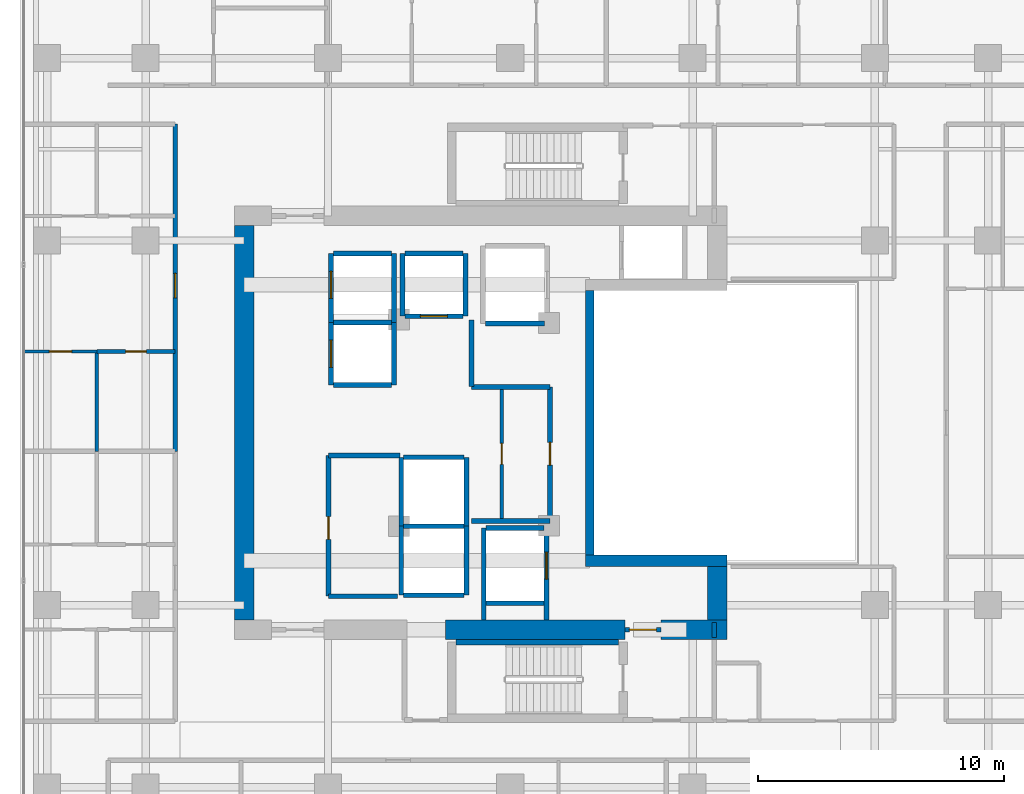
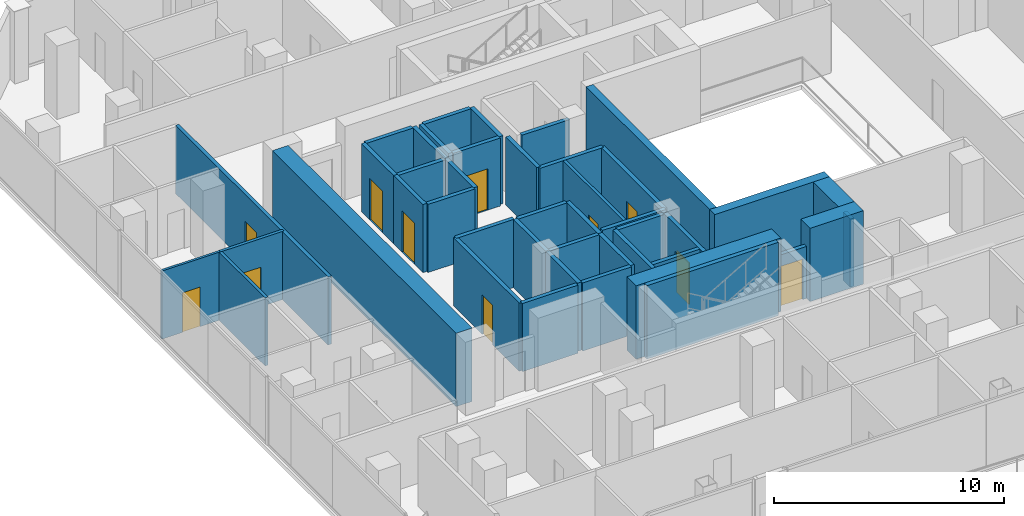
# One storey, part 21 of 27: 44 walls, 11 doors, 11 openings.
"""IFC4 building model written with IfcOpenShell, lengths in metres."""

import ifcopenshell
import ifcopenshell.guid

model = None  # the IFC model being written
_history = None  # IfcOwnerHistory: only IFC2X3 demands one
_inside = {}  # id of a spatial element -> (the spatial element, [elements in it])
_under = {}  # id of a project, library or spatial element -> (it, [spatial elements below it])
_declared = {}  # id of a project -> (the project, [libraries it declares])
_typed = {}  # id of a type object -> (the type object, [elements of that type])
_made_of = {}  # id of a material, layer set ... -> (it, [elements and type objects made of it])


def new_model(schema):
    """Start an empty IFC model of exactly this schema.

    Asked for "IFC4X3", IfcOpenShell would pick the latest addendum, in which some entities
    have other attributes; the version numbers below select the first issue.
    IFC2X3 requires an IfcOwnerHistory on every rooted entity: one is made here for all.
    """
    global model, _history
    if schema == "IFC4X3":
        model = ifcopenshell.file(schema_version=(4, 3, 0, 0))
    else:
        model = ifcopenshell.file(schema=schema)
    _inside.clear()
    _under.clear()
    _declared.clear()
    _typed.clear()
    _made_of.clear()
    _history = None
    if model.schema == "IFC2X3":
        org = make("IfcOrganization", Name="unknown")
        user = make(
            "IfcPersonAndOrganization",
            ThePerson=make("IfcPerson", FamilyName="unknown"),
            TheOrganization=org,
        )
        app = make(
            "IfcApplication",
            ApplicationDeveloper=org,
            Version="unknown",
            ApplicationFullName="unknown",
            ApplicationIdentifier="unknown",
        )
        _history = make(
            "IfcOwnerHistory",
            OwningUser=user,
            OwningApplication=app,
            ChangeAction="ADDED",
            CreationDate=0,
        )
    return model


def make(cls, **values):
    """One entity of the class cls with the attributes given. An attribute that is None is left unset."""
    return model.create_entity(
        cls, **{name: value for name, value in values.items() if value is not None}
    )


def rooted(cls, **values):
    """An entity with a GlobalId (a new one), such as an element, a storey or a relation."""
    return make(cls, GlobalId=ifcopenshell.guid.new(), OwnerHistory=_history, **values)


def si_unit(unit_type, name, prefix=None):
    """IfcSIUnit, for example si_unit("LENGTHUNIT", "METRE", prefix="MILLI")."""
    return make("IfcSIUnit", UnitType=unit_type, Prefix=prefix, Name=name)


def assignment(units):
    """IfcUnitAssignment: the units of a project."""
    return None if units is None else make("IfcUnitAssignment", Units=units)


def point(xyz):
    """IfcCartesianPoint."""
    return None if xyz is None else make("IfcCartesianPoint", Coordinates=xyz)


def direction(xyz):
    """IfcDirection."""
    return None if xyz is None else make("IfcDirection", DirectionRatios=xyz)


def frame(location, z_axis=None, x_axis=None):
    """IfcAxis2Placement3D, a coordinate frame: its origin and axes. An axis left out is left unset."""
    return make(
        "IfcAxis2Placement3D",
        Location=point(location),
        Axis=direction(z_axis),
        RefDirection=direction(x_axis),
    )


def frame_2d(location, x_axis=None):
    """IfcAxis2Placement2D, a coordinate frame in the plane: its origin and x axis."""
    return make(
        "IfcAxis2Placement2D", Location=point(location), RefDirection=direction(x_axis)
    )


def origin():
    """The frame at (0, 0, 0) with its axes left unset."""
    return frame((0.0, 0.0, 0.0))


def place(relative_to, where):
    """IfcLocalPlacement: puts the frame where relative to a parent placement (None: the world)."""
    return make(
        "IfcLocalPlacement", PlacementRelTo=relative_to, RelativePlacement=where
    )


def context(
    kind, dimensions, precision=None, world=None, true_north=None, identifier=None
):
    """IfcGeometricRepresentationContext, for example the 3D "Model" context."""
    return make(
        "IfcGeometricRepresentationContext",
        ContextIdentifier=identifier,
        ContextType=kind,
        CoordinateSpaceDimension=dimensions,
        Precision=precision,
        WorldCoordinateSystem=world,
        TrueNorth=true_north,
    )


def subcontext(parent, identifier, kind, view, scale=None):
    """IfcGeometricRepresentationSubContext, for example "Body" below "Model"."""
    return make(
        "IfcGeometricRepresentationSubContext",
        ContextIdentifier=identifier,
        ContextType=kind,
        ParentContext=parent,
        TargetScale=scale,
        TargetView=view,
    )


def project(units=None, contexts=None):
    """IfcProject with its units and contexts."""
    return rooted(
        "IfcProject",
        Name="project",
        RepresentationContexts=contexts,
        UnitsInContext=assignment(units),
    )


def spatial(cls, under=None, at=None, **own):
    """A site, building, storey or space (cls), placed at a placement, below another one or the project."""
    s = rooted(cls, ObjectPlacement=at, **own)
    if under is not None:
        _under.setdefault(under.id(), (under, []))[1].append(s)
    return s


def profile(cls, at=None, kind="AREA", **sizes):
    """A parametric profile (cls). Its sizes go by their IFC names, for example OverallWidth=200.0."""
    return make(cls, ProfileType=kind, Position=at, **sizes)


def rectangle(**sizes):
    """IfcRectangleProfileDef."""
    return profile("IfcRectangleProfileDef", **sizes)


def extrude(swept, where, along, depth):
    """IfcExtrudedAreaSolid: the profile swept, set in the frame where, extruded along a direction by depth."""
    return make(
        "IfcExtrudedAreaSolid",
        SweptArea=swept,
        Position=where,
        ExtrudedDirection=direction(along),
        Depth=depth,
    )


def shape(context_of_items, identifier, shape_type, items):
    """IfcShapeRepresentation: the items that make up one representation, for example the "Body"."""
    return make(
        "IfcShapeRepresentation",
        ContextOfItems=context_of_items,
        RepresentationIdentifier=identifier,
        RepresentationType=shape_type,
        Items=items,
    )


def material(Name=None, Category=None):
    """IfcMaterial."""
    return make("IfcMaterial", Name=Name, Category=Category)


def layer(
    of_material, thickness, ventilated=None, Name=None, Category=None, Priority=None
):
    """IfcMaterialLayer: one layer of a wall or slab, of a material (None: an air gap)."""
    return make(
        "IfcMaterialLayer",
        Material=of_material,
        LayerThickness=thickness,
        IsVentilated=ventilated,
        Name=Name,
        Category=Category,
        Priority=Priority,
    )


def layer_set(layers, Name=None):
    """IfcMaterialLayerSet."""
    return make("IfcMaterialLayerSet", MaterialLayers=layers, LayerSetName=Name)


def made_of(thing, what):
    """Note that an element or type object is made of a material, layer set ...; save() writes the relation."""
    if what is not None:
        _made_of.setdefault(what.id(), (what, []))[1].append(thing)
    return thing


def type_object(cls, material=None, **own):
    """A type object (cls), such as IfcWallType, which elements share."""
    return made_of(rooted(cls, **own), material)


def element(
    cls,
    number,
    at=None,
    inside=None,
    cuts=None,
    type_object=None,
    material=None,
    context=None,
    identifier="Body",
    shape_type=None,
    held_by="IfcProductDefinitionShape",
    body=None,
    shapes=None,
    **own,
):
    """One element of the class cls, such as IfcWall. Its Tag is "e" and its number.

    at: its placement. inside: the storey or other place that contains it. cuts: it is an
    opening in that element (IfcRelVoidsElement). A single representation is given by context,
    identifier, shape_type and body (its items); several are given by shapes. held_by: the class
    of the entity that holds the representations. save() writes the other relations.
    """
    e = rooted(cls, Tag="e%d" % number, ObjectPlacement=at, **own)
    if body is not None:
        shapes = [shape(context, identifier, shape_type, body)]
    if shapes is not None:
        e.Representation = make(held_by, Representations=shapes)
    if inside is not None:
        _inside.setdefault(inside.id(), (inside, []))[1].append(e)
    if cuts is not None:
        rooted(
            "IfcRelVoidsElement", RelatingBuildingElement=cuts, RelatedOpeningElement=e
        )
    if type_object is not None:
        _typed.setdefault(type_object.id(), (type_object, []))[1].append(e)
    return made_of(e, material)


def fill(opening, filler):
    """IfcRelFillsElement: the door or window that sits in an opening."""
    return rooted(
        "IfcRelFillsElement",
        RelatingOpeningElement=opening,
        RelatedBuildingElement=filler,
    )


def aggregate(whole, parts):
    """IfcRelAggregates: a whole, such as a stair, and the parts it consists of."""
    return rooted("IfcRelAggregates", RelatingObject=whole, RelatedObjects=parts)


def save(model, path):
    """Write the relations noted so far, then the file.

    IfcRelAggregates (storeys below a building ...), IfcRelContainedInSpatialStructure (elements
    in a storey), IfcRelDefinesByType, IfcRelAssociatesMaterial and IfcRelDeclares: one each for
    every whole, place, type object, material and project.
    """
    for whole, parts in _under.values():
        aggregate(whole, parts)
    for where, things in _inside.values():
        rooted(
            "IfcRelContainedInSpatialStructure",
            RelatedElements=things,
            RelatingStructure=where,
        )
    for kind, things in _typed.values():
        rooted("IfcRelDefinesByType", RelatedObjects=things, RelatingType=kind)
    for what, things in _made_of.values():
        rooted("IfcRelAssociatesMaterial", RelatedObjects=things, RelatingMaterial=what)
    for by, libraries in _declared.values():
        rooted("IfcRelDeclares", RelatingContext=by, RelatedDefinitions=libraries)
    model.write(path)


model = new_model("IFC4")

# Units and contexts
model_context = context("Model", 3, precision=1e-05, world=origin(), true_north=direction((0.0, 1.0)))
body_context = subcontext(model_context, "Body", "Model", "MODEL_VIEW")
ifc_project = project(units=[si_unit("LENGTHUNIT", "METRE"), si_unit("AREAUNIT", "SQUARE_METRE"), si_unit("VOLUMEUNIT", "CUBIC_METRE"), si_unit("PLANEANGLEUNIT", "RADIAN"), si_unit("MASSUNIT", "GRAM", prefix="KILO")], contexts=[model_context])

# Site, building, storey
site_placement = place(None, origin())
site = spatial("IfcSite", under=ifc_project, at=site_placement, CompositionType="ELEMENT")
building_placement = place(site_placement, origin())
building = spatial("IfcBuilding", under=site, at=building_placement, Name="Khorvyn Point Tower", CompositionType="ELEMENT")
storey_placement = place(building_placement, frame((0.0, 0.0, 164.10009765625)))
storey = spatial("IfcBuildingStorey", under=building, at=storey_placement, Name="L40", CompositionType="ELEMENT", Elevation=164.10009765625)

# Wall, opening, door
ifc_material_1 = material(Name="Double acoustic gypsum on twin steel stud", Category="steel")
ifc_layer_1 = layer(ifc_material_1, 0.179931640625)
ifc_layer_set_1 = layer_set([ifc_layer_1], Name="Acoustic Double-Stud Apartment Demising Wall 180")
wall_type_1 = type_object("IfcWallType", Name="Acoustic Double-Stud Apartment Demising Wall 180", PredefinedType="PARTITIONING", material=ifc_layer_set_1)
wall_1_placement = place(storey_placement, frame((-13.60009765625, -1.1640625, 0.0), z_axis=(0.0, 0.0, 1.0), x_axis=(0.0, 1.0, 0.0)))
wall_1 = element("IfcWall", 1, at=wall_1_placement, inside=storey, type_object=wall_type_1, Name="Wall", PredefinedType="PARTITIONING", context=body_context, shape_type="SweptSolid", body=[
    extrude(rectangle(XDim=13.2841796875, YDim=0.179931640625, at=frame_2d((6.64208984375, 0.0))), origin(), (0.0, 0.0, 1.0), 3.619873046875),
])
opening_1_placement = place(wall_1_placement, frame((6.231201171875, 0.0, 0.0)))
opening_1 = element("IfcOpeningElement", 2, at=opening_1_placement, cuts=wall_1, Name="Opening ID-AP60", PredefinedType="OPENING", context=body_context, shape_type="SweptSolid", body=[
    extrude(rectangle(XDim=1.0, YDim=2.199951171875, at=frame_2d((0.5, 1.10009765625))), frame((0.0, 0.099853515625, 0.0), z_axis=(0.0, -1.0, 0.0), x_axis=(1.0, 0.0, 0.0)), (0.0, 0.0, 1.0), 0.199951171875),
])
ifc_material_2 = material(Name="Engineered hardwood fire-rated leaf", Category="wood")
door_type_1 = type_object("IfcDoorType", Name="Acoustic Solid-Core Timber Apartment Entrance Door 1000x2200", OperationType="NOTDEFINED", PredefinedType="DOOR", material=ifc_material_2)
door_1_placement = place(opening_1_placement, origin())
door_1 = element("IfcDoor", 3, at=door_1_placement, inside=storey, type_object=door_type_1, Name="Door", OperationType="SINGLE_SWING_LEFT", OverallHeight=2.199951171875, OverallWidth=1.0, PredefinedType="DOOR", context=body_context, shape_type="SweptSolid", body=[
    extrude(rectangle(XDim=1.0, YDim=2.199951171875, at=frame_2d((0.5, 1.10009765625))), frame((0.0, 0.02490234375, 0.0), z_axis=(0.0, -1.0, 0.0), x_axis=(1.0, 0.0, 0.0)), (0.0, 0.0, 1.0), 0.050048828125),
])
fill(opening_1, door_1)

# Wall
ifc_material_3 = material(Name="Concrete C40/50", Category="concrete")
ifc_layer_2 = layer(ifc_material_3, 0.449951171875)
ifc_layer_set_2 = layer_set([ifc_layer_2], Name="Concrete C40/50 Core Shear Wall 450")
wall_type_2 = type_object("IfcWallType", Name="Concrete C40/50 Core Shear Wall 450", PredefinedType="SHEAR", material=ifc_layer_set_2)
wall_2_placement = place(storey_placement, frame((3.044921875, -5.60009765625, 0.0), z_axis=(0.0, 0.0, 1.0), x_axis=(1.0, 0.0, 0.0)))
element("IfcWall", 4, at=wall_2_placement, inside=storey, type_object=wall_type_2, Name="Wall", PredefinedType="SHEAR", context=body_context, shape_type="SweptSolid", body=[
    extrude(rectangle(XDim=5.755126953125, YDim=0.449951171875, at=frame_2d((2.87744140625, 0.0))), origin(), (0.0, 0.0, 1.0), 3.89990234375),
])

# Wall, opening, door
ifc_layer_3 = layer(ifc_material_3, 0.199951171875)
ifc_layer_set_3 = layer_set([ifc_layer_3], Name="Concrete C40/50 Fire-Lobby Compartment Wall 200")
wall_type_3 = type_object("IfcWallType", Name="Concrete C40/50 Fire-Lobby Compartment Wall 200", PredefinedType="SOLIDWALL", material=ifc_layer_set_3)
wall_3_placement = place(storey_placement, frame((4.64990234375, -8.39990234375, 0.0), z_axis=(0.0, 0.0, 1.0), x_axis=(1.0, 0.0, 0.0)))
wall_3 = element("IfcWall", 5, at=wall_3_placement, inside=storey, type_object=wall_type_3, Name="Wall", PredefinedType="SOLIDWALL", context=body_context, shape_type="SweptSolid", body=[
    extrude(rectangle(XDim=1.47021484375, YDim=0.199951171875, at=frame_2d((0.735107421875, 0.0))), origin(), (0.0, 0.0, 1.0), 2.760009765625),
])
opening_2_placement = place(wall_3_placement, frame((0.18505859375, 0.0, 0.0)))
opening_2 = element("IfcOpeningElement", 6, at=opening_2_placement, cuts=wall_3, Name="Opening ID-FL90", PredefinedType="OPENING", context=body_context, shape_type="SweptSolid", body=[
    extrude(rectangle(XDim=1.10009765625, YDim=2.14990234375, at=frame_2d((0.550048828125, 1.074951171875))), frame((0.0, 0.10986328125, 0.0), z_axis=(0.0, -1.0, 0.0), x_axis=(1.0, 0.0, 0.0)), (0.0, 0.0, 1.0), 0.219970703125),
])
ifc_material_4 = material(Name="Galvanised powder-coated steel", Category="steel")
door_type_2 = type_object("IfcDoorType", Name="Fire-Rated Steel Lobby and Stair Door 1100x2150", OperationType="NOTDEFINED", PredefinedType="DOOR", material=ifc_material_4)
door_2_placement = place(opening_2_placement, origin())
door_2 = element("IfcDoor", 7, at=door_2_placement, inside=storey, type_object=door_type_2, Name="Door", OperationType="SINGLE_SWING_RIGHT", OverallHeight=2.14990234375, OverallWidth=1.10009765625, PredefinedType="DOOR", context=body_context, shape_type="SweptSolid", body=[
    extrude(rectangle(XDim=1.10009765625, YDim=2.14990234375, at=frame_2d((0.550048828125, 1.074951171875))), frame((0.0, 0.02490234375, 0.0), z_axis=(0.0, -1.0, 0.0), x_axis=(1.0, 0.0, 0.0)), (0.0, 0.0, 1.0), 0.050048828125),
])
fill(opening_2, door_2)

wall_4_placement = place(storey_placement, frame((1.610107421875, -3.97998046875, 0.0), z_axis=(0.0, 0.0, 1.0), x_axis=(0.0, 1.0, 0.0)))
wall_4 = element("IfcWall", 8, at=wall_4_placement, inside=storey, type_object=wall_type_3, Name="Wall", PredefinedType="SOLIDWALL", context=body_context, shape_type="SweptSolid", body=[
    extrude(rectangle(XDim=5.43994140625, YDim=0.199951171875, at=frame_2d((2.719970703125, 0.0))), origin(), (0.0, 0.0, 1.0), 3.619873046875),
])
opening_3_placement = place(wall_4_placement, frame((2.260009765625, 0.0, 0.0)))
opening_3 = element("IfcOpeningElement", 9, at=opening_3_placement, cuts=wall_4, Name="Opening ID-RS60", PredefinedType="OPENING", context=body_context, shape_type="SweptSolid", body=[
    extrude(rectangle(XDim=0.919921875, YDim=2.10009765625, at=frame_2d((0.4599609375, 1.050048828125))), frame((0.0, 0.10986328125, 0.0), z_axis=(0.0, -1.0, 0.0), x_axis=(1.0, 0.0, 0.0)), (0.0, 0.0, 1.0), 0.219970703125),
])
door_type_3 = type_object("IfcDoorType", Name="Fire-Rated Riser and Store Steel Door 920x2100", OperationType="NOTDEFINED", PredefinedType="DOOR", material=ifc_material_4)
door_3_placement = place(opening_3_placement, origin())
door_3 = element("IfcDoor", 10, at=door_3_placement, inside=storey, type_object=door_type_3, Name="Door", OperationType="SINGLE_SWING_RIGHT", OverallHeight=2.10009765625, OverallWidth=0.919921875, PredefinedType="DOOR", context=body_context, shape_type="SweptSolid", body=[
    extrude(rectangle(XDim=0.919921875, YDim=2.10009765625, at=frame_2d((0.4599609375, 1.050048828125))), frame((0.0, 0.02490234375, 0.0), z_axis=(0.0, -1.0, 0.0), x_axis=(1.0, 0.0, 0.0)), (0.0, 0.0, 1.0), 0.050048828125),
])
fill(opening_3, door_3)

wall_5_placement = place(storey_placement, frame((-7.3798828125, -7.0400390625, 0.0), z_axis=(0.0, 0.0, 1.0), x_axis=(0.0, 1.0, 0.0)))
wall_5 = element("IfcWall", 11, at=wall_5_placement, inside=storey, type_object=wall_type_3, Name="Wall", PredefinedType="SOLIDWALL", context=body_context, shape_type="SweptSolid", body=[
    extrude(rectangle(XDim=5.719970703125, YDim=0.199951171875, at=frame_2d((2.85986328125, 0.0))), origin(), (0.0, 0.0, 1.0), 3.619873046875),
])
opening_4_placement = place(wall_5_placement, frame((2.310302734375, 0.0, 0.0)))
opening_4 = element("IfcOpeningElement", 12, at=opening_4_placement, cuts=wall_5, Name="Opening ID-RS60", PredefinedType="OPENING", context=body_context, shape_type="SweptSolid", body=[
    extrude(rectangle(XDim=0.919921875, YDim=2.10009765625, at=frame_2d((0.4599609375, 1.050048828125))), frame((0.0, 0.10986328125, 0.0), z_axis=(0.0, -1.0, 0.0), x_axis=(1.0, 0.0, 0.0)), (0.0, 0.0, 1.0), 0.219970703125),
])
door_4_placement = place(opening_4_placement, origin())
door_4 = element("IfcDoor", 13, at=door_4_placement, inside=storey, type_object=door_type_3, Name="Door", OperationType="SINGLE_SWING_LEFT", OverallHeight=2.10009765625, OverallWidth=0.919921875, PredefinedType="DOOR", context=body_context, shape_type="SweptSolid", body=[
    extrude(rectangle(XDim=0.919921875, YDim=2.10009765625, at=frame_2d((0.4599609375, 1.050048828125))), frame((0.0, 0.02490234375, 0.0), z_axis=(0.0, -1.0, 0.0), x_axis=(1.0, 0.0, 0.0)), (0.0, 0.0, 1.0), 0.050048828125),
])
fill(opening_4, door_4)

# Walls
wall_6_placement = place(storey_placement, frame((-7.3798828125, -1.320068359375, 0.0), z_axis=(0.0, 0.0, 1.0), x_axis=(1.0, 0.0, 0.0)))
element("IfcWall", 14, at=wall_6_placement, inside=storey, type_object=wall_type_3, Name="Wall", PredefinedType="SOLIDWALL", context=body_context, shape_type="SweptSolid", body=[
    extrude(rectangle(XDim=2.909912109375, YDim=0.199951171875, at=frame_2d((1.455078125, 0.0))), origin(), (0.0, 0.0, 1.0), 3.619873046875),
])
wall_7_placement = place(storey_placement, frame((-1.580078125, 1.47998046875, 0.0), z_axis=(0.0, 0.0, 1.0), x_axis=(0.0, 1.0, 0.0)))
element("IfcWall", 15, at=wall_7_placement, inside=storey, type_object=wall_type_3, Name="Wall", PredefinedType="SOLIDWALL", context=body_context, shape_type="SweptSolid", body=[
    extrude(rectangle(XDim=2.699951171875, YDim=0.199951171875, at=frame_2d((1.35009765625, 0.0))), origin(), (0.0, 0.0, 1.0), 3.619873046875),
])
for number, where, z_axis, x_axis, name in (
    (16, (-1.580078125, -3.97998046875, 0.0), (0.0, 0.0, 1.0), (1.0, 0.0, 0.0), "Wall"),
    (17, (-1.580078125, 1.4599609375, 0.0), (0.0, 0.0, 1.0), (1.0, 0.0, 0.0), "Wall"),
):
    element("IfcWall", number, at=place(storey_placement, frame(where, z_axis=z_axis, x_axis=x_axis)), inside=storey, type_object=wall_type_3, Name=name, PredefinedType="SOLIDWALL", context=body_context, shape_type="SweptSolid", body=[
        extrude(rectangle(XDim=3.190185546875, YDim=0.199951171875, at=frame_2d((1.59521484375, 0.0))), origin(), (0.0, 0.0, 1.0), 3.619873046875),
    ])
wall_8_placement = place(storey_placement, frame((-7.3798828125, -7.0400390625, 0.0), z_axis=(0.0, 0.0, 1.0), x_axis=(1.0, 0.0, 0.0)))
element("IfcWall", 18, at=wall_8_placement, inside=storey, type_object=wall_type_3, Name="Wall", PredefinedType="SOLIDWALL", context=body_context, shape_type="SweptSolid", body=[
    extrude(rectangle(XDim=2.7998046875, YDim=0.199951171875, at=frame_2d((1.39990234375, 0.0))), origin(), (0.0, 0.0, 1.0), 3.619873046875),
])
wall_9_placement = place(storey_placement, frame((8.280029296875, -8.72509765625, 0.0), z_axis=(0.0, 0.0, 1.0), x_axis=(0.0, 1.0, 0.0)))
element("IfcWall", 19, at=wall_9_placement, inside=storey, type_object=wall_type_3, Name="Wall", PredefinedType="SOLIDWALL", context=body_context, shape_type="SweptSolid", body=[
    extrude(rectangle(XDim=0.625, YDim=0.199951171875, at=frame_2d((0.3125, 0.0))), origin(), (0.0, 0.0, 1.0), 3.619873046875),
])
ifc_layer_4 = layer(ifc_material_3, 0.25)
ifc_layer_set_4 = layer_set([ifc_layer_4], Name="Concrete C40/50 Stair Inner Cheek Structural Wall 250")
wall_type_4 = type_object("IfcWallType", Name="Concrete C40/50 Stair Inner Cheek Structural Wall 250", PredefinedType="SHEAR", material=ifc_layer_set_4)
wall_10_placement = place(storey_placement, frame((-2.199951171875, -8.91259765625, 0.0), z_axis=(0.0, 0.0, 1.0), x_axis=(1.0, 0.0, 0.0)))
element("IfcWall", 20, at=wall_10_placement, inside=storey, type_object=wall_type_4, Name="Wall", PredefinedType="SHEAR", context=body_context, shape_type="SweptSolid", body=[
    extrude(rectangle(XDim=6.599853515625, YDim=0.22509765625, at=frame_2d((3.2998046875, 0.0))), origin(), (0.0, 0.0, 1.0), 3.89990234375),
])
ifc_layer_5 = layer(ifc_material_3, 0.35009765625)
ifc_layer_set_5 = layer_set([ifc_layer_5], Name="Concrete C40/50 Stair Shaft Structural Wall 350")
wall_type_5 = type_object("IfcWallType", Name="Concrete C40/50 Stair Shaft Structural Wall 350", PredefinedType="SHEAR", material=ifc_layer_set_5)
wall_11_placement = place(storey_placement, frame((3.219970703125, -5.375, 0.0), z_axis=(0.0, 0.0, 1.0), x_axis=(0.0, 1.0, 0.0)))
element("IfcWall", 21, at=wall_11_placement, inside=storey, type_object=wall_type_5, Name="Wall", PredefinedType="SHEAR", context=body_context, shape_type="SweptSolid", body=[
    extrude(rectangle(XDim=10.75, YDim=0.35009765625, at=frame_2d((5.375, 0.0))), origin(), (0.0, 0.0, 1.0), 3.89990234375),
])

# Wall, opening, door
ifc_layer_6 = layer(ifc_material_3, 0.199951171875)
ifc_layer_set_6 = layer_set([ifc_layer_6], Name="Concrete C40/50 Structural Hoistway and Stair Shaft Wall 200")
wall_type_6 = type_object("IfcWallType", Name="Concrete C40/50 Structural Hoistway and Stair Shaft Wall 200", PredefinedType="SHEAR", material=ifc_layer_set_6)
wall_12_placement = place(storey_placement, frame((-7.27490234375, 1.52490234375, 0.0), z_axis=(0.0, 0.0, 1.0), x_axis=(0.0, 1.0, 0.0)))
wall_12 = element("IfcWall", 22, at=wall_12_placement, inside=storey, type_object=wall_type_6, Name="Wall", PredefinedType="SHEAR", context=body_context, shape_type="SweptSolid", body=[
    extrude(rectangle(XDim=2.550048828125, YDim=0.199951171875, at=frame_2d((1.27490234375, 0.0))), origin(), (0.0, 0.0, 1.0), 3.619873046875),
])
opening_5_placement = place(wall_12_placement, frame((0.72509765625, 0.0, 0.0)))
opening_5 = element("IfcOpeningElement", 23, at=opening_5_placement, cuts=wall_12, Name="Opening LD-1122", PredefinedType="OPENING", context=body_context, shape_type="SweptSolid", body=[
    extrude(rectangle(XDim=1.10009765625, YDim=2.199951171875, at=frame_2d((0.550048828125, 1.10009765625))), frame((0.0, 0.10986328125, 0.0), z_axis=(0.0, -1.0, 0.0), x_axis=(1.0, 0.0, 0.0)), (0.0, 0.0, 1.0), 0.219970703125),
])
ifc_material_5 = material(Name="Stainless steel 1.4301", Category="steel")
door_type_4 = type_object("IfcDoorType", Name="Stainless Steel Automatic Sliding Lift Landing Door 1100x2200", OperationType="SLIDING_TO_LEFT", PredefinedType="DOOR", material=ifc_material_5)
door_5_placement = place(opening_5_placement, origin())
door_5 = element("IfcDoor", 24, at=door_5_placement, inside=storey, type_object=door_type_4, Name="L40 RM-01 Sliding Lift Landing Door", OperationType="SLIDING_TO_LEFT", OverallHeight=2.199951171875, OverallWidth=1.10009765625, PredefinedType="DOOR", context=body_context, shape_type="SweptSolid", body=[
    extrude(rectangle(XDim=1.10009765625, YDim=2.199951171875, at=frame_2d((0.550048828125, 1.10009765625))), frame((0.0, 0.02490234375, 0.0), z_axis=(0.0, -1.0, 0.0), x_axis=(1.0, 0.0, 0.0)), (0.0, 0.0, 1.0), 0.050048828125),
])
fill(opening_5, door_5)

# Walls
wall_13_placement = place(storey_placement, frame((-4.72509765625, 1.52490234375, 0.0), z_axis=(0.0, 0.0, 1.0), x_axis=(0.0, 1.0, 0.0)))
element("IfcWall", 25, at=wall_13_placement, inside=storey, type_object=wall_type_6, Name="Wall", PredefinedType="SHEAR", context=body_context, shape_type="SweptSolid", body=[
    extrude(rectangle(XDim=2.550048828125, YDim=0.199951171875, at=frame_2d((1.27490234375, 0.0))), origin(), (0.0, 0.0, 1.0), 3.619873046875),
])
for number, where, z_axis, x_axis, name in (
    (26, (-7.175048828125, 1.52490234375, 0.0), (0.0, 0.0, 1.0), (1.0, 0.0, 0.0), "Wall"),
    (27, (-7.175048828125, 4.074951171875, 0.0), (0.0, 0.0, 1.0), (1.0, 0.0, 0.0), "Wall"),
):
    element("IfcWall", number, at=place(storey_placement, frame(where, z_axis=z_axis, x_axis=x_axis)), inside=storey, type_object=wall_type_6, Name=name, PredefinedType="SHEAR", context=body_context, shape_type="SweptSolid", body=[
        extrude(rectangle(XDim=2.35009765625, YDim=0.199951171875, at=frame_2d((1.175048828125, 0.0))), origin(), (0.0, 0.0, 1.0), 3.619873046875),
    ])

# Wall, opening, door
wall_14_placement = place(storey_placement, frame((-7.27490234375, 4.074951171875, 0.0), z_axis=(0.0, 0.0, 1.0), x_axis=(0.0, 1.0, 0.0)))
wall_14 = element("IfcWall", 28, at=wall_14_placement, inside=storey, type_object=wall_type_6, Name="Wall", PredefinedType="SHEAR", context=body_context, shape_type="SweptSolid", body=[
    extrude(rectangle(XDim=2.800048828125, YDim=0.199951171875, at=frame_2d((1.39990234375, 0.0))), origin(), (0.0, 0.0, 1.0), 3.619873046875),
])
opening_6_placement = place(wall_14_placement, frame((0.97509765625, 0.0, 0.0)))
opening_6 = element("IfcOpeningElement", 29, at=opening_6_placement, cuts=wall_14, Name="Opening LD-1122", PredefinedType="OPENING", context=body_context, shape_type="SweptSolid", body=[
    extrude(rectangle(XDim=1.10009765625, YDim=2.199951171875, at=frame_2d((0.550048828125, 1.10009765625))), frame((0.0, 0.10986328125, 0.0), z_axis=(0.0, -1.0, 0.0), x_axis=(1.0, 0.0, 0.0)), (0.0, 0.0, 1.0), 0.219970703125),
])
door_6_placement = place(opening_6_placement, origin())
door_6 = element("IfcDoor", 30, at=door_6_placement, inside=storey, type_object=door_type_4, Name="L40 RM-02 Sliding Lift Landing Door", OperationType="SLIDING_TO_LEFT", OverallHeight=2.199951171875, OverallWidth=1.10009765625, PredefinedType="DOOR", context=body_context, shape_type="SweptSolid", body=[
    extrude(rectangle(XDim=1.10009765625, YDim=2.199951171875, at=frame_2d((0.550048828125, 1.10009765625))), frame((0.0, 0.02490234375, 0.0), z_axis=(0.0, -1.0, 0.0), x_axis=(1.0, 0.0, 0.0)), (0.0, 0.0, 1.0), 0.050048828125),
])
fill(opening_6, door_6)

# Walls
wall_15_placement = place(storey_placement, frame((-4.72509765625, 4.074951171875, 0.0), z_axis=(0.0, 0.0, 1.0), x_axis=(0.0, 1.0, 0.0)))
element("IfcWall", 31, at=wall_15_placement, inside=storey, type_object=wall_type_6, Name="Wall", PredefinedType="SHEAR", context=body_context, shape_type="SweptSolid", body=[
    extrude(rectangle(XDim=2.800048828125, YDim=0.199951171875, at=frame_2d((1.39990234375, 0.0))), origin(), (0.0, 0.0, 1.0), 3.619873046875),
])
wall_16_placement = place(storey_placement, frame((-7.175048828125, 6.875, 0.0), z_axis=(0.0, 0.0, 1.0), x_axis=(1.0, 0.0, 0.0)))
element("IfcWall", 32, at=wall_16_placement, inside=storey, type_object=wall_type_6, Name="Wall", PredefinedType="SHEAR", context=body_context, shape_type="SweptSolid", body=[
    extrude(rectangle(XDim=2.35009765625, YDim=0.199951171875, at=frame_2d((1.175048828125, 0.0))), origin(), (0.0, 0.0, 1.0), 3.619873046875),
])
for number, where, z_axis, x_axis, name in (
    (33, (-4.375, 4.324951171875, 0.0), (0.0, 0.0, 1.0), (0.0, 1.0, 0.0), "Wall"),
    (34, (-1.824951171875, 4.324951171875, 0.0), (0.0, 0.0, 1.0), (0.0, 1.0, 0.0), "Wall"),
):
    element("IfcWall", number, at=place(storey_placement, frame(where, z_axis=z_axis, x_axis=x_axis)), inside=storey, type_object=wall_type_6, Name=name, PredefinedType="SHEAR", context=body_context, shape_type="SweptSolid", body=[
        extrude(rectangle(XDim=2.550048828125, YDim=0.199951171875, at=frame_2d((1.27490234375, 0.0))), origin(), (0.0, 0.0, 1.0), 3.619873046875),
    ])

# Wall, opening, door
wall_17_placement = place(storey_placement, frame((-4.27490234375, 4.324951171875, 0.0), z_axis=(0.0, 0.0, 1.0), x_axis=(1.0, 0.0, 0.0)))
wall_17 = element("IfcWall", 35, at=wall_17_placement, inside=storey, type_object=wall_type_6, Name="Wall", PredefinedType="SHEAR", context=body_context, shape_type="SweptSolid", body=[
    extrude(rectangle(XDim=2.349853515625, YDim=0.199951171875, at=frame_2d((1.1748046875, 0.0))), origin(), (0.0, 0.0, 1.0), 3.619873046875),
])
opening_7_placement = place(wall_17_placement, frame((0.625, 0.0, 0.0)))
opening_7 = element("IfcOpeningElement", 36, at=opening_7_placement, cuts=wall_17, Name="Opening LD-1122", PredefinedType="OPENING", context=body_context, shape_type="SweptSolid", body=[
    extrude(rectangle(XDim=1.10009765625, YDim=2.199951171875, at=frame_2d((0.550048828125, 1.10009765625))), frame((0.0, 0.10986328125, 0.0), z_axis=(0.0, -1.0, 0.0), x_axis=(1.0, 0.0, 0.0)), (0.0, 0.0, 1.0), 0.219970703125),
])
door_7_placement = place(opening_7_placement, origin())
door_7 = element("IfcDoor", 37, at=door_7_placement, inside=storey, type_object=door_type_4, Name="L40 RM-03 Sliding Lift Landing Door", OperationType="SLIDING_TO_LEFT", OverallHeight=2.199951171875, OverallWidth=1.10009765625, PredefinedType="DOOR", context=body_context, shape_type="SweptSolid", body=[
    extrude(rectangle(XDim=1.10009765625, YDim=2.199951171875, at=frame_2d((0.550048828125, 1.10009765625))), frame((0.0, 0.02490234375, 0.0), z_axis=(0.0, -1.0, 0.0), x_axis=(1.0, 0.0, 0.0)), (0.0, 0.0, 1.0), 0.050048828125),
])
fill(opening_7, door_7)

# Walls
wall_18_placement = place(storey_placement, frame((-4.27490234375, 6.875, 0.0), z_axis=(0.0, 0.0, 1.0), x_axis=(1.0, 0.0, 0.0)))
element("IfcWall", 38, at=wall_18_placement, inside=storey, type_object=wall_type_6, Name="Wall", PredefinedType="SHEAR", context=body_context, shape_type="SweptSolid", body=[
    extrude(rectangle(XDim=2.349853515625, YDim=0.199951171875, at=frame_2d((1.1748046875, 0.0))), origin(), (0.0, 0.0, 1.0), 3.619873046875),
])
for number, where, z_axis, x_axis, name in (
    (39, (-4.425048828125, -7.0, 0.0), (0.0, 0.0, 1.0), (0.0, 1.0, 0.0), "Wall"),
    (40, (-1.77490234375, -7.0, 0.0), (0.0, 0.0, 1.0), (0.0, 1.0, 0.0), "Wall"),
):
    element("IfcWall", number, at=place(storey_placement, frame(where, z_axis=z_axis, x_axis=x_axis)), inside=storey, type_object=wall_type_6, Name=name, PredefinedType="SHEAR", context=body_context, shape_type="SweptSolid", body=[
        extrude(rectangle(XDim=2.800048828125, YDim=0.199951171875, at=frame_2d((1.39990234375, 0.0))), origin(), (0.0, 0.0, 1.0), 3.619873046875),
    ])
for number, where, z_axis, x_axis, name in (
    (41, (-4.324951171875, -7.0, 0.0), (0.0, 0.0, 1.0), (1.0, 0.0, 0.0), "Wall"),
    (42, (-4.324951171875, -4.199951171875, 0.0), (0.0, 0.0, 1.0), (1.0, 0.0, 0.0), "Wall"),
):
    element("IfcWall", number, at=place(storey_placement, frame(where, z_axis=z_axis, x_axis=x_axis)), inside=storey, type_object=wall_type_6, Name=name, PredefinedType="SHEAR", context=body_context, shape_type="SweptSolid", body=[
        extrude(rectangle(XDim=2.449951171875, YDim=0.199951171875, at=frame_2d((1.22509765625, 0.0))), origin(), (0.0, 0.0, 1.0), 3.619873046875),
    ])
for number, where, z_axis, x_axis, name in (
    (43, (-4.425048828125, -4.199951171875, 0.0), (0.0, 0.0, 1.0), (0.0, 1.0, 0.0), "Wall"),
    (44, (-1.77490234375, -4.199951171875, 0.0), (0.0, 0.0, 1.0), (0.0, 1.0, 0.0), "Wall"),
):
    element("IfcWall", number, at=place(storey_placement, frame(where, z_axis=z_axis, x_axis=x_axis)), inside=storey, type_object=wall_type_6, Name=name, PredefinedType="SHEAR", context=body_context, shape_type="SweptSolid", body=[
        extrude(rectangle(XDim=2.800048828125, YDim=0.199951171875, at=frame_2d((1.39990234375, 0.0))), origin(), (0.0, 0.0, 1.0), 3.619873046875),
    ])
wall_19_placement = place(storey_placement, frame((-4.324951171875, -1.39990234375, 0.0), z_axis=(0.0, 0.0, 1.0), x_axis=(1.0, 0.0, 0.0)))
element("IfcWall", 45, at=wall_19_placement, inside=storey, type_object=wall_type_6, Name="Wall", PredefinedType="SHEAR", context=body_context, shape_type="SweptSolid", body=[
    extrude(rectangle(XDim=2.449951171875, YDim=0.199951171875, at=frame_2d((1.22509765625, 0.0))), origin(), (0.0, 0.0, 1.0), 3.619873046875),
])
wall_20_placement = place(storey_placement, frame((-1.0, 4.02490234375, 0.0), z_axis=(0.0, 0.0, 1.0), x_axis=(1.0, 0.0, 0.0)))
element("IfcWall", 46, at=wall_20_placement, inside=storey, type_object=wall_type_6, Name="Wall", PredefinedType="SHEAR", context=body_context, shape_type="SweptSolid", body=[
    extrude(rectangle(XDim=2.39990234375, YDim=0.199951171875, at=frame_2d((1.199951171875, 0.0))), origin(), (0.0, 0.0, 1.0), 3.619873046875),
])
wall_21_placement = place(storey_placement, frame((-1.074951171875, -8.0, 0.0), z_axis=(0.0, 0.0, 1.0), x_axis=(0.0, 1.0, 0.0)))
element("IfcWall", 47, at=wall_21_placement, inside=storey, type_object=wall_type_6, Name="Wall", PredefinedType="SHEAR", context=body_context, shape_type="SweptSolid", body=[
    extrude(rectangle(XDim=3.72509765625, YDim=0.199951171875, at=frame_2d((1.862548828125, 0.0))), origin(), (0.0, 0.0, 1.0), 3.619873046875),
])

# Wall, opening, door
wall_22_placement = place(storey_placement, frame((1.47509765625, -8.0, 0.0), z_axis=(0.0, 0.0, 1.0), x_axis=(0.0, 1.0, 0.0)))
wall_22 = element("IfcWall", 48, at=wall_22_placement, inside=storey, type_object=wall_type_6, Name="Wall", PredefinedType="SHEAR", context=body_context, shape_type="SweptSolid", body=[
    extrude(rectangle(XDim=3.72509765625, YDim=0.199951171875, at=frame_2d((1.862548828125, 0.0))), origin(), (0.0, 0.0, 1.0), 3.619873046875),
])
opening_8_placement = place(wall_22_placement, frame((1.64990234375, 0.0, 0.0)))
opening_8 = element("IfcOpeningElement", 49, at=opening_8_placement, cuts=wall_22, Name="Opening LD-1122", PredefinedType="OPENING", context=body_context, shape_type="SweptSolid", body=[
    extrude(rectangle(XDim=1.10009765625, YDim=2.199951171875, at=frame_2d((0.550048828125, 1.10009765625))), frame((0.0, 0.10986328125, 0.0), z_axis=(0.0, -1.0, 0.0), x_axis=(1.0, 0.0, 0.0)), (0.0, 0.0, 1.0), 0.219970703125),
])
door_8_placement = place(opening_8_placement, origin())
door_8 = element("IfcDoor", 50, at=door_8_placement, inside=storey, type_object=door_type_4, Name="L40 FF-01 Sliding Lift Landing Door", OperationType="SLIDING_TO_LEFT", OverallHeight=2.199951171875, OverallWidth=1.10009765625, PredefinedType="DOOR", context=body_context, shape_type="SweptSolid", body=[
    extrude(rectangle(XDim=1.10009765625, YDim=2.199951171875, at=frame_2d((0.550048828125, 1.10009765625))), frame((0.0, 0.02490234375, 0.0), z_axis=(0.0, -1.0, 0.0), x_axis=(1.0, 0.0, 0.0)), (0.0, 0.0, 1.0), 0.050048828125),
])
fill(opening_8, door_8)

# Walls
for number, where, z_axis, x_axis, name in (
    (51, (-0.97509765625, -7.324951171875, 0.0), (0.0, 0.0, 1.0), (1.0, 0.0, 0.0), "Wall"),
    (52, (-0.97509765625, -4.27490234375, 0.0), (0.0, 0.0, 1.0), (1.0, 0.0, 0.0), "Wall"),
):
    element("IfcWall", number, at=place(storey_placement, frame(where, z_axis=z_axis, x_axis=x_axis)), inside=storey, type_object=wall_type_6, Name=name, PredefinedType="SHEAR", context=body_context, shape_type="SweptSolid", body=[
        extrude(rectangle(XDim=2.35009765625, YDim=0.199951171875, at=frame_2d((1.175048828125, 0.0))), origin(), (0.0, 0.0, 1.0), 3.619873046875),
    ])
ifc_material_6 = material(Name="Concrete C45/55", Category="concrete")
ifc_layer_7 = layer(ifc_material_6, 0.800048828125)
ifc_layer_set_7 = layer_set([ifc_layer_7], Name="Concrete C45/55 Core Shear Wall 800")
wall_type_7 = type_object("IfcWallType", Name="Concrete C45/55 Core Shear Wall 800", PredefinedType="SHEAR", material=ifc_layer_set_7)
wall_23_placement = place(storey_placement, frame((-2.6201171875, -8.39990234375, 0.0), z_axis=(0.0, 0.0, 1.0), x_axis=(1.0, 0.0, 0.0)))
element("IfcWall", 53, at=wall_23_placement, inside=storey, type_object=wall_type_7, Name="Wall", PredefinedType="SHEAR", context=body_context, shape_type="SweptSolid", body=[
    extrude(rectangle(XDim=7.27001953125, YDim=0.800048828125, at=frame_2d((3.635009765625, 0.0))), origin(), (0.0, 0.0, 1.0), 3.89990234375),
])
wall_24_placement = place(storey_placement, frame((6.1201171875, -8.39990234375, 0.0), z_axis=(0.0, 0.0, 1.0), x_axis=(1.0, 0.0, 0.0)))
element("IfcWall", 54, at=wall_24_placement, inside=storey, type_object=wall_type_7, Name="Wall", PredefinedType="SHEAR", context=body_context, shape_type="SweptSolid", body=[
    extrude(rectangle(XDim=2.679931640625, YDim=0.800048828125, at=frame_2d((1.33984375, 0.0))), origin(), (0.0, 0.0, 1.0), 3.89990234375),
])
wall_25_placement = place(storey_placement, frame((-10.800048828125, -8.0, 0.0), z_axis=(0.0, 0.0, 1.0), x_axis=(0.0, 1.0, 0.0)))
element("IfcWall", 55, at=wall_25_placement, inside=storey, type_object=wall_type_7, Name="Wall", PredefinedType="SHEAR", context=body_context, shape_type="SweptSolid", body=[
    extrude(rectangle(XDim=16.0, YDim=0.800048828125, at=frame_2d((8.0, 0.0))), origin(), (0.0, 0.0, 1.0), 3.89990234375),
])
wall_26_placement = place(storey_placement, frame((8.39990234375, -8.0, 0.0), z_axis=(0.0, 0.0, 1.0), x_axis=(0.0, 1.0, 0.0)))
element("IfcWall", 56, at=wall_26_placement, inside=storey, type_object=wall_type_7, Name="Wall", PredefinedType="SHEAR", context=body_context, shape_type="SweptSolid", body=[
    extrude(rectangle(XDim=2.175048828125, YDim=0.800048828125, at=frame_2d((1.08740234375, 0.0))), origin(), (0.0, 0.0, 1.0), 3.89990234375),
])

# Wall, opening, door
ifc_material_7 = material(Name="Gypsum plasterboard on steel stud", Category="steel")
ifc_layer_8 = layer(ifc_material_7, 0.1201171875)
ifc_layer_set_8 = layer_set([ifc_layer_8], Name="Gypsum Acoustic Stud Room Partition Wall 120")
wall_type_8 = type_object("IfcWallType", Name="Gypsum Acoustic Stud Room Partition Wall 120", PredefinedType="PARTITIONING", material=ifc_layer_set_8)
wall_27_placement = place(storey_placement, frame((-19.72998046875, 2.89404296875, 0.0), z_axis=(0.0, 0.0, 1.0), x_axis=(1.0, 0.0, 0.0)))
wall_27 = element("IfcWall", 57, at=wall_27_placement, inside=storey, type_object=wall_type_8, Name="Wall", PredefinedType="PARTITIONING", context=body_context, shape_type="SweptSolid", body=[
    extrude(rectangle(XDim=2.946044921875, YDim=0.1201171875, at=frame_2d((1.47314453125, 0.0))), origin(), (0.0, 0.0, 1.0), 3.619873046875),
])
opening_9_placement = place(wall_27_placement, frame((1.02294921875, 0.0, 0.0)))
opening_9 = element("IfcOpeningElement", 58, at=opening_9_placement, cuts=wall_27, Name="Opening ID-RM90", PredefinedType="OPENING", context=body_context, shape_type="SweptSolid", body=[
    extrude(rectangle(XDim=0.89990234375, YDim=2.10009765625, at=frame_2d((0.449951171875, 1.050048828125))), frame((0.0, 0.070068359375, 0.0), z_axis=(0.0, -1.0, 0.0), x_axis=(1.0, 0.0, 0.0)), (0.0, 0.0, 1.0), 0.14013671875),
])
ifc_material_8 = material(Name="Engineered oak veneer timber", Category="wood")
door_type_5 = type_object("IfcDoorType", Name="Flush Engineered Timber Room Door 900x2100", OperationType="NOTDEFINED", PredefinedType="DOOR", material=ifc_material_8)
door_9_placement = place(opening_9_placement, origin())
door_9 = element("IfcDoor", 59, at=door_9_placement, inside=storey, type_object=door_type_5, Name="Door", OperationType="SINGLE_SWING_RIGHT", OverallHeight=2.10009765625, OverallWidth=0.89990234375, PredefinedType="DOOR", context=body_context, shape_type="SweptSolid", body=[
    extrude(rectangle(XDim=0.89990234375, YDim=2.10009765625, at=frame_2d((0.449951171875, 1.050048828125))), frame((0.0, 0.02490234375, 0.0), z_axis=(0.0, -1.0, 0.0), x_axis=(1.0, 0.0, 0.0)), (0.0, 0.0, 1.0), 0.050048828125),
])
fill(opening_9, door_9)

ifc_material_9 = material(Name="Moisture-resistant gypsum and cement board", Category="gypsum")
ifc_layer_9 = layer(ifc_material_9, 0.14990234375)
ifc_layer_set_9 = layer_set([ifc_layer_9], Name="Moisture-Resistant Wet-Room Partition Wall 150")
wall_type_9 = type_object("IfcWallType", Name="Moisture-Resistant Wet-Room Partition Wall 150", PredefinedType="PARTITIONING", material=ifc_layer_set_9)
wall_28_placement = place(storey_placement, frame((-0.35009765625, -3.97998046875, 0.0), z_axis=(0.0, 0.0, 1.0), x_axis=(0.0, 1.0, 0.0)))
wall_28 = element("IfcWall", 60, at=wall_28_placement, inside=storey, type_object=wall_type_9, Name="Wall", PredefinedType="PARTITIONING", context=body_context, shape_type="SweptSolid", body=[
    extrude(rectangle(XDim=5.43994140625, YDim=0.14990234375, at=frame_2d((2.719970703125, 0.0))), origin(), (0.0, 0.0, 1.0), 3.619873046875),
])
opening_10_placement = place(wall_28_placement, frame((2.294921875, 0.0, 0.0)))
opening_10 = element("IfcOpeningElement", 61, at=opening_10_placement, cuts=wall_28, Name="Opening ID-WC85", PredefinedType="OPENING", context=body_context, shape_type="SweptSolid", body=[
    extrude(rectangle(XDim=0.85009765625, YDim=2.10009765625, at=frame_2d((0.425048828125, 1.050048828125))), frame((0.0, 0.0849609375, 0.0), z_axis=(0.0, -1.0, 0.0), x_axis=(1.0, 0.0, 0.0)), (0.0, 0.0, 1.0), 0.169921875),
])
ifc_material_10 = material(Name="High-pressure laminate on moisture-resistant core", Category="wood")
door_type_6 = type_object("IfcDoorType", Name="Moisture-Resistant Accessible Washroom Door 850x2100", OperationType="NOTDEFINED", PredefinedType="DOOR", material=ifc_material_10)
door_10_placement = place(opening_10_placement, origin())
door_10 = element("IfcDoor", 62, at=door_10_placement, inside=storey, type_object=door_type_6, Name="Door", OperationType="SINGLE_SWING_LEFT", OverallHeight=2.10009765625, OverallWidth=0.85009765625, PredefinedType="DOOR", context=body_context, shape_type="SweptSolid", body=[
    extrude(rectangle(XDim=0.85009765625, YDim=2.10009765625, at=frame_2d((0.425048828125, 1.050048828125))), frame((0.0, 0.02490234375, 0.0), z_axis=(0.0, -1.0, 0.0), x_axis=(1.0, 0.0, 0.0)), (0.0, 0.0, 1.0), 0.050048828125),
])
fill(opening_10, door_10)

wall_29_placement = place(storey_placement, frame((-16.783935546875, 2.89404296875, 0.0), z_axis=(0.0, 0.0, 1.0), x_axis=(1.0, 0.0, 0.0)))
wall_29 = element("IfcWall", 63, at=wall_29_placement, inside=storey, type_object=wall_type_9, Name="Wall", PredefinedType="PARTITIONING", context=body_context, shape_type="SweptSolid", body=[
    extrude(rectangle(XDim=3.183837890625, YDim=0.14990234375, at=frame_2d((1.591796875, 0.0))), origin(), (0.0, 0.0, 1.0), 3.619873046875),
])
opening_11_placement = place(wall_29_placement, frame((1.1669921875, 0.0, 0.0)))
opening_11 = element("IfcOpeningElement", 64, at=opening_11_placement, cuts=wall_29, Name="Opening ID-WC85", PredefinedType="OPENING", context=body_context, shape_type="SweptSolid", body=[
    extrude(rectangle(XDim=0.85009765625, YDim=2.10009765625, at=frame_2d((0.425048828125, 1.050048828125))), frame((0.0, 0.0849609375, 0.0), z_axis=(0.0, -1.0, 0.0), x_axis=(1.0, 0.0, 0.0)), (0.0, 0.0, 1.0), 0.169921875),
])
door_11_placement = place(opening_11_placement, origin())
door_11 = element("IfcDoor", 65, at=door_11_placement, inside=storey, type_object=door_type_6, Name="Door", OperationType="SINGLE_SWING_LEFT", OverallHeight=2.10009765625, OverallWidth=0.85009765625, PredefinedType="DOOR", context=body_context, shape_type="SweptSolid", body=[
    extrude(rectangle(XDim=0.85009765625, YDim=2.10009765625, at=frame_2d((0.425048828125, 1.050048828125))), frame((0.0, 0.02490234375, 0.0), z_axis=(0.0, -1.0, 0.0), x_axis=(1.0, 0.0, 0.0)), (0.0, 0.0, 1.0), 0.050048828125),
])
fill(opening_11, door_11)

# Wall
wall_30_placement = place(storey_placement, frame((-16.783935546875, -1.1640625, 0.0), z_axis=(0.0, 0.0, 1.0), x_axis=(0.0, 1.0, 0.0)))
element("IfcWall", 66, at=wall_30_placement, inside=storey, type_object=wall_type_9, Name="Wall", PredefinedType="PARTITIONING", context=body_context, shape_type="SweptSolid", body=[
    extrude(rectangle(XDim=4.05810546875, YDim=0.14990234375, at=frame_2d((2.029052734375, 0.0))), origin(), (0.0, 0.0, 1.0), 3.619873046875),
])

save(model, "model.ifc")
